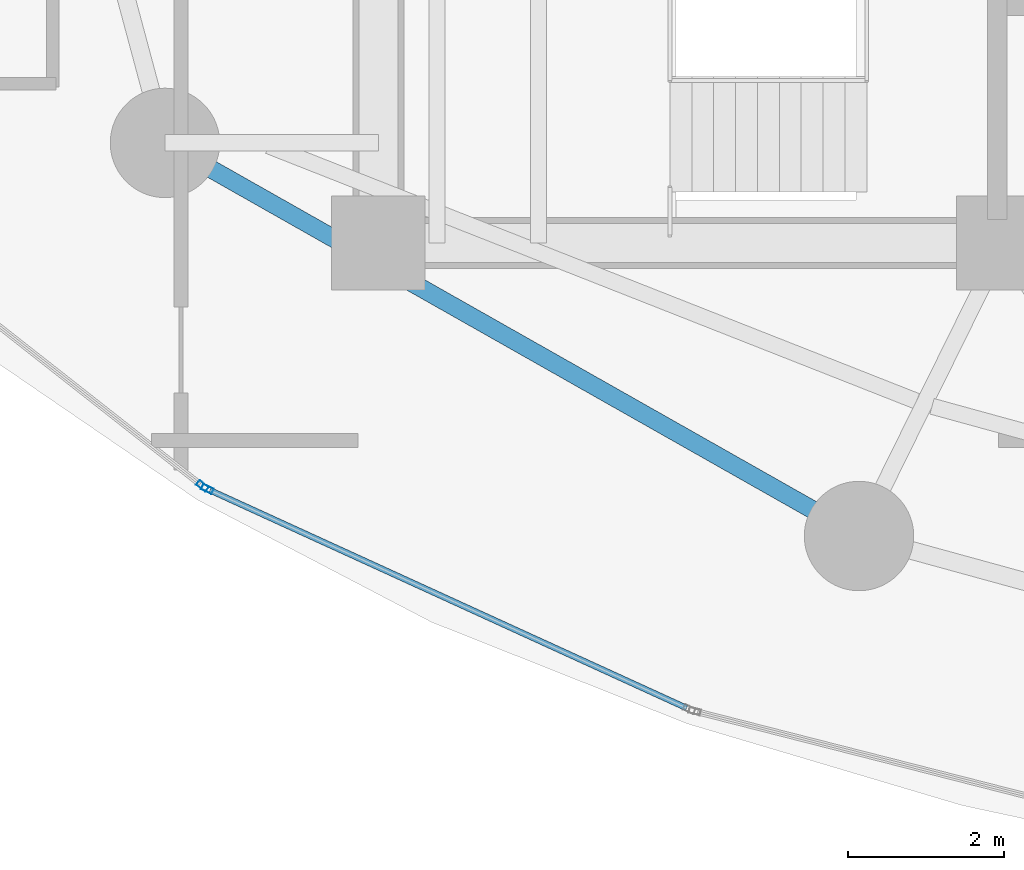
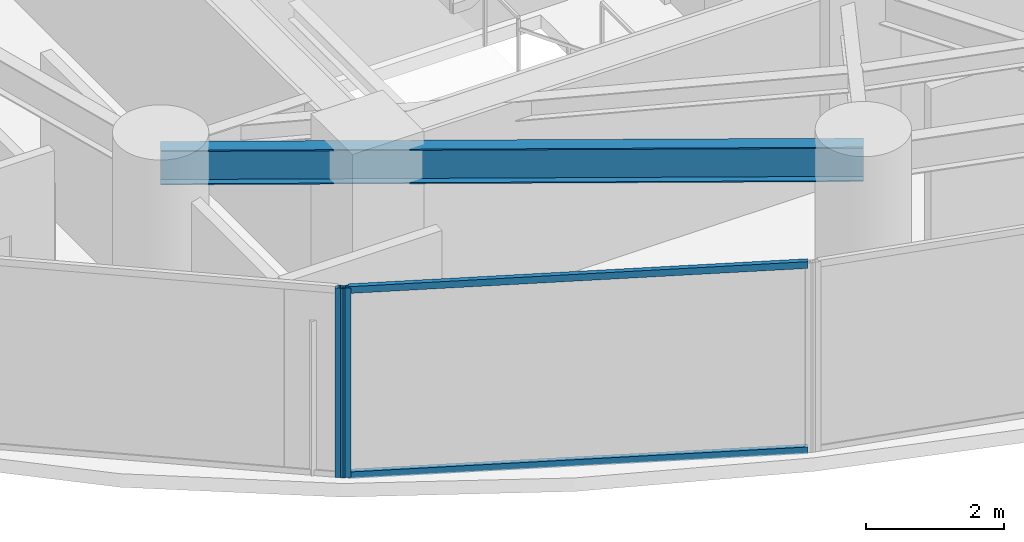
# One storey, part 2 of 32: 4 members, 1 beam, 2 elements without a shape of their own.
"""IFC4 building model written with IfcOpenShell, lengths in metres."""

from ifc_helpers import new_model, si_unit, direction, frame, origin, origin_2d, place, context, subcontext, project, spatial, hollow_rectangle, i_section, extrude, material, layer, layer_set, material_profile, profile_set, type_object, element, aggregate, save


model = new_model("IFC4")

# Units and contexts
model_context = context("Model", 3, precision=1e-05, world=origin(), true_north=direction((0.0, 1.0)))
body_context = subcontext(model_context, "Body", "Model", "MODEL_VIEW")
ifc_project = project(units=[si_unit("LENGTHUNIT", "METRE"), si_unit("AREAUNIT", "SQUARE_METRE"), si_unit("VOLUMEUNIT", "CUBIC_METRE"), si_unit("PLANEANGLEUNIT", "RADIAN"), si_unit("MASSUNIT", "GRAM", prefix="KILO")], contexts=[model_context])

# Site, building, storey
site_placement = place(None, origin())
site = spatial("IfcSite", under=ifc_project, at=site_placement, CompositionType="ELEMENT")
building_placement = place(site_placement, origin())
building = spatial("IfcBuilding", under=site, at=building_placement, Name="Kazevale Care Tower and Concert Hall", CompositionType="ELEMENT")
storey_placement = place(building_placement, frame((0.0, 0.0, 34.800048828125)))
storey = spatial("IfcBuildingStorey", under=building, at=storey_placement, Name="L08", CompositionType="ELEMENT", Elevation=34.800048828125)

# Curtain wall, member
ifc_material_1 = material(Name="Aluminium 6063-T6 and Low-E Glass", Category="aluminium")
ifc_layer = layer(ifc_material_1, 0.179931640625)
ifc_layer_set = layer_set([ifc_layer], Name="Aluminium 6063-T6 and Low-E Glass")
curtain_wall_type = type_object("IfcCurtainWallType", Name="Sheltered Concave Balcony Curtain Wall CW-5", PredefinedType="NOTDEFINED", material=ifc_layer_set)
curtain_wall_1_placement = place(storey_placement, origin())
curtain_wall_1 = element("IfcCurtainWall", 1, at=curtain_wall_1_placement, inside=storey, type_object=curtain_wall_type, Name="cw:L08:f09", PredefinedType="NOTDEFINED")
ifc_material_2 = material(Name="Aluminium 6063-T6", Category="aluminium")
ifc_material_profile_1 = material_profile(ifc_material_2, hollow_rectangle(XDim=0.074951171875, YDim=0.14990234375, WallThickness=0.00390625, at=origin_2d()), Name="ALU75x150x4")
ifc_profile_set_1 = profile_set([ifc_material_profile_1], Name="Aluminium 6063-T6")
member_type_1 = type_object("IfcMemberType", Name="CW-5 Mullion ALU75x150x4", PredefinedType="MULLION", material=ifc_profile_set_1)
member_1_placement = place(storey_placement, frame((19.81201171875, 20.451416015625, 0.0), z_axis=(0.0, 0.0, 1.0), x_axis=(-0.415659767773, -0.909520179795, 0.0)))
member_1 = element("IfcMember", 2, at=member_1_placement, type_object=member_type_1, Name="CW-5 mullion 2", PredefinedType="MULLION", context=body_context, shape_type="SweptSolid", body=[
    extrude(hollow_rectangle(XDim=0.074951171875, YDim=0.14990234375, WallThickness=0.00390625, at=origin_2d()), origin(), (0.0, 0.0, 1.0), 3.35986328125),
])

curtain_wall_2_placement = place(storey_placement, origin())
curtain_wall_2 = element("IfcCurtainWall", 3, at=curtain_wall_2_placement, inside=storey, type_object=curtain_wall_type, Name="cw:L08:f10", PredefinedType="NOTDEFINED")
member_2_placement = place(storey_placement, frame((19.74853515625, 20.490234375, 0.0), z_axis=(0.0, 0.0, 1.0), x_axis=(-0.617807548814, -0.78632934107, 0.0)))
member_2 = element("IfcMember", 4, at=member_2_placement, type_object=member_type_1, Name="CW-5 mullion 1", PredefinedType="MULLION", context=body_context, shape_type="SweptSolid", body=[
    extrude(hollow_rectangle(XDim=0.074951171875, YDim=0.14990234375, WallThickness=0.00390625, at=origin_2d()), origin(), (0.0, 0.0, 1.0), 3.35986328125),
])
aggregate(curtain_wall_2, [member_2])

# Member
ifc_material_profile_2 = material_profile(ifc_material_2, hollow_rectangle(XDim=0.074951171875, YDim=0.1201171875, WallThickness=0.00390625, at=origin_2d()), Name="ALU75x120x4")
ifc_profile_set_2 = profile_set([ifc_material_profile_2], Name="Aluminium 6063-T6")
member_type_2 = type_object("IfcMemberType", Name="CW-5 Transom ALU75x120x4", PredefinedType="USERDEFINED", material=ifc_profile_set_2)
member_3_placement = place(storey_placement, frame((25.94384765625, 17.649169921875, 0.037353515625), z_axis=(-0.909524040017, 0.415651320978, 0.0), x_axis=(-0.415651320978, -0.909524040017, 0.0)))
member_3 = element("IfcMember", 5, at=member_3_placement, type_object=member_type_2, Name="CW-5 transom 1.1", ObjectType="TRANSOM", PredefinedType="USERDEFINED", context=body_context, shape_type="SweptSolid", body=[
    extrude(hollow_rectangle(XDim=0.074951171875, YDim=0.1201171875, WallThickness=0.00390625, at=origin_2d()), origin(), (0.0, 0.0, 1.0), 6.704345703125),
])

member_4_placement = place(storey_placement, frame((25.94384765625, 17.649169921875, 3.322509765625), z_axis=(-0.909524040017, 0.415651320978, 0.0), x_axis=(-0.415651320978, -0.909524040017, 0.0)))
member_4 = element("IfcMember", 6, at=member_4_placement, type_object=member_type_2, Name="CW-5 transom 1.2", ObjectType="TRANSOM", PredefinedType="USERDEFINED", context=body_context, shape_type="SweptSolid", body=[
    extrude(hollow_rectangle(XDim=0.074951171875, YDim=0.1201171875, WallThickness=0.00390625, at=origin_2d()), origin(), (0.0, 0.0, 1.0), 6.704345703125),
])

aggregate(curtain_wall_1, [member_1, member_3, member_4])

# Beam
ifc_material_3 = material(Name="Steel ASTM A572 Gr 50", Category="steel")
ifc_material_profile_3 = material_profile(ifc_material_3, i_section(OverallWidth=0.22900390625, OverallDepth=0.612060546875, WebThickness=0.011962890625, FlangeThickness=0.01953125, at=origin_2d()), Name="W610x125")
ifc_profile_set_3 = profile_set([ifc_material_profile_3], Name="Steel ASTM A572 Gr 50")
beam_type = type_object("IfcBeamType", Name="Ring Spandrel Beam W610x125", PredefinedType="SPANDREL", material=ifc_profile_set_3)
beam_placement = place(storey_placement, frame((19.27001953125, 24.8798828125, 3.053955078125), z_axis=(0.870112469479, -0.492853213906, 0.0), x_axis=(0.492853213906, 0.870112469479, 0.0)))
element("IfcBeam", 7, at=beam_placement, inside=storey, type_object=beam_type, Name="beam:L08:ring:10", PredefinedType="SPANDREL", context=body_context, shape_type="SweptSolid", body=[
    extrude(i_section(OverallWidth=0.22900390625, OverallDepth=0.612060546875, WebThickness=0.011962890625, FlangeThickness=0.01953125, at=origin_2d()), origin(), (0.0, 0.0, 1.0), 10.205322265625),
])

save(model, "model.ifc")
